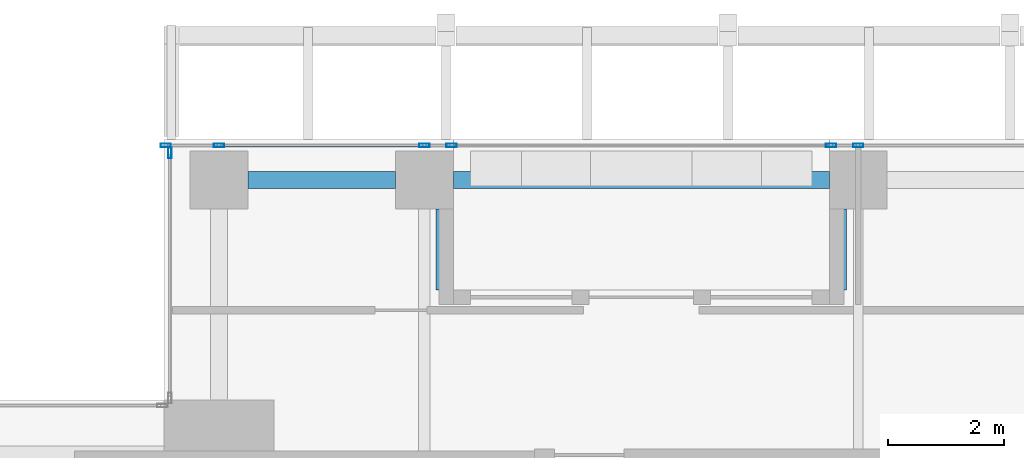
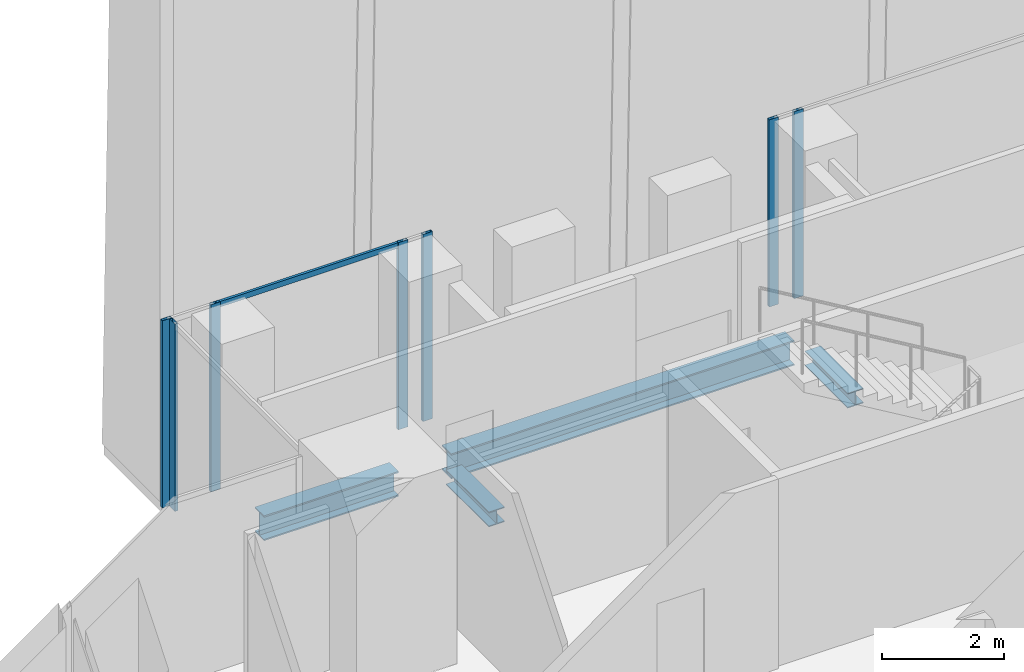
# One storey, part 16 of 35: 8 members, 4 beams, 3 elements without a shape of their own.
"""IFC4 building model written with IfcOpenShell, lengths in metres."""

from ifc_helpers import new_model, si_unit, direction, frame, origin, origin_2d, place, context, subcontext, project, spatial, hollow_rectangle, i_section, extrude, source, transform, mapped, material, material_profile, profile_set, type_object, element, aggregate, save


model = new_model("IFC4")

# Units and contexts
model_context = context("Model", 3, precision=1e-05, world=origin(), true_north=direction((0.0, 1.0)))
body_context = subcontext(model_context, "Body", "Model", "MODEL_VIEW")
ifc_project = project(units=[si_unit("LENGTHUNIT", "METRE"), si_unit("AREAUNIT", "SQUARE_METRE"), si_unit("VOLUMEUNIT", "CUBIC_METRE"), si_unit("PLANEANGLEUNIT", "RADIAN"), si_unit("MASSUNIT", "GRAM", prefix="KILO")], contexts=[model_context])

# Site, building, storey
site_placement = place(None, origin())
site = spatial("IfcSite", under=ifc_project, at=site_placement, CompositionType="ELEMENT")
building_placement = place(site_placement, origin())
building = spatial("IfcBuilding", under=site, at=building_placement, Name="Khomas Fold Tower", CompositionType="ELEMENT")
storey_placement = place(building_placement, frame((0.0, 0.0, 188.699951171875)))
storey = spatial("IfcBuildingStorey", under=building, at=storey_placement, Name="L41", CompositionType="ELEMENT", Elevation=188.699951171875)

# Beams
ifc_material_1 = material(Name="Steel S355", Category="steel")
ifc_material_profile_1 = material_profile(ifc_material_1, i_section(OverallWidth=0.300048828125, OverallDepth=0.5, WebThickness=0.014404296875, FlangeThickness=0.028076171875, at=origin_2d()), Name="HE 500 B")
ifc_profile_set_1 = profile_set([ifc_material_profile_1], Name="Steel S355")
beam_type_1 = type_object("IfcBeamType", Name="HE 500 B spandrel SB3", PredefinedType="SPANDREL", material=ifc_profile_set_1)
shared_shape_1 = source(origin(), body_context, "Body", "SweptSolid", [
    extrude(i_section(OverallWidth=0.300048828125, OverallDepth=0.5, WebThickness=0.014404296875, FlangeThickness=0.028076171875, at=origin_2d()), origin(), (0.0, 0.0, 1.0), 2.550048828125),
])
beam_1_placement = place(storey_placement, frame((8.949951171875, 50.300048828125, -0.5), z_axis=(1.0, 0.0, 0.0), x_axis=(0.0, 1.0, 0.0)))
element("IfcBeam", 1, at=beam_1_placement, inside=storey, type_object=beam_type_1, Name="SB3", PredefinedType="SPANDREL", context=body_context, shape_type="MappedRepresentation", body=[
    mapped(shared_shape_1, transform((0.0, 0.0, 0.0))),
])
shared_shape_2 = source(origin(), body_context, "Body", "SweptSolid", [
    extrude(i_section(OverallWidth=0.300048828125, OverallDepth=0.5, WebThickness=0.014404296875, FlangeThickness=0.028076171875, at=origin_2d()), origin(), (0.0, 0.0, 1.0), 6.5),
])
beam_2_placement = place(storey_placement, frame((12.5, 50.300048828125, -0.5), z_axis=(1.0, 0.0, 0.0), x_axis=(0.0, 1.0, 0.0)))
element("IfcBeam", 2, at=beam_2_placement, inside=storey, type_object=beam_type_1, Name="SB3", PredefinedType="SPANDREL", context=body_context, shape_type="MappedRepresentation", body=[
    mapped(shared_shape_2, transform((0.0, 0.0, 0.0))),
])
ifc_material_2 = material(Name="Steel S355", Category="steel")
ifc_material_profile_2 = material_profile(ifc_material_2, i_section(OverallWidth=0.300048828125, OverallDepth=0.300048828125, WebThickness=0.010986328125, FlangeThickness=0.01904296875, at=origin_2d()), Name="HE 300 B")
ifc_profile_set_2 = profile_set([ifc_material_profile_2], Name="Steel S355")
beam_type_2 = type_object("IfcBeamType", Name="HE 300 B beam BB1", PredefinedType="BEAM", material=ifc_profile_set_2)
shared_shape_3 = source(origin(), body_context, "Body", "SweptSolid", [
    extrude(i_section(OverallWidth=0.300048828125, OverallDepth=0.300048828125, WebThickness=0.010986328125, FlangeThickness=0.01904296875, at=origin_2d()), origin(), (0.0, 0.0, 1.0), 1.400146484375),
])
for number, where, z_axis, x_axis, name in (
    (3, (12.35009765625, 48.39990234375, -0.39990234375), (0.0, 1.0, 0.0), (-1.0, 0.0, 0.0), "BB1"),
    (4, (19.14990234375, 48.39990234375, -0.39990234375), (0.0, 1.0, 0.0), (-1.0, 0.0, 0.0), "BB1"),
):
    element("IfcBeam", number, at=place(storey_placement, frame(where, z_axis=z_axis, x_axis=x_axis)), inside=storey, type_object=beam_type_2, Name=name, PredefinedType="BEAM", context=body_context, shape_type="MappedRepresentation", body=[
        mapped(shared_shape_3, transform((0.0, 0.0, 0.0))),
    ])

# Curtain wall, members
ifc_material_3 = material(Name="Aluminium framed double glazing", Category="aluminium")
curtain_wall_type = type_object("IfcCurtainWallType", Name="SK-Unitised clear-glass wall, office floors CW2", PredefinedType="NOTDEFINED", material=ifc_material_3)
curtain_wall_1_placement = place(storey_placement, origin())
curtain_wall_1 = element("IfcCurtainWall", 5, at=curtain_wall_1_placement, inside=storey, type_object=curtain_wall_type, Name="CW2 run L41 06-0", PredefinedType="NOTDEFINED")
ifc_material_4 = material(Name="Aluminium", Category="aluminium")
ifc_material_profile_3 = material_profile(ifc_material_4, hollow_rectangle(XDim=0.06005859375, YDim=0.179931640625, WallThickness=0.00390625, at=origin_2d()), Name="SK-Unitised clear-glass wall, office floors mullion CW2-M")
ifc_profile_set_3 = profile_set([ifc_material_profile_3], Name="Aluminium")
member_type_1 = type_object("IfcMemberType", Name="SK-Unitised clear-glass wall, office floors mullion CW2-M", PredefinedType="MULLION", material=ifc_profile_set_3)
shared_shape_4 = source(origin(), body_context, "Body", "SweptSolid", [
    extrude(hollow_rectangle(XDim=0.06005859375, YDim=0.179931640625, WallThickness=0.00390625, at=origin_2d()), origin(), (0.0, 0.0, 1.0), 3.75),
])
member_1_placement = place(storey_placement, frame((19.5, 50.89990234375, 0.0), z_axis=(0.0, 0.0, 1.0), x_axis=(0.0, -1.0, 0.0)))
member_1 = element("IfcMember", 6, at=member_1_placement, type_object=member_type_1, Name="CW2 mullion 4", PredefinedType="MULLION", context=body_context, shape_type="MappedRepresentation", body=[
    mapped(shared_shape_4, transform((0.0, 0.0, 0.0))),
])
member_2_placement = place(storey_placement, frame((19.030029296875, 50.89990234375, 0.0), z_axis=(0.0, 0.0, 1.0), x_axis=(0.0, -1.0, 0.0)))
member_2 = element("IfcMember", 7, at=member_2_placement, type_object=member_type_1, Name="CW2 mullion 5", PredefinedType="MULLION", context=body_context, shape_type="MappedRepresentation", body=[
    mapped(shared_shape_4, transform((0.0, 0.0, 0.0))),
])
aggregate(curtain_wall_1, [member_1, member_2])

curtain_wall_2_placement = place(storey_placement, origin())
curtain_wall_2 = element("IfcCurtainWall", 8, at=curtain_wall_2_placement, inside=storey, type_object=curtain_wall_type, Name="CW2 run L41 06-1", PredefinedType="NOTDEFINED")
member_3_placement = place(storey_placement, frame((12.469970703125, 50.89990234375, 0.0), z_axis=(0.0, 0.0, 1.0), x_axis=(0.0, -1.0, 0.0)))
member_3 = element("IfcMember", 9, at=member_3_placement, type_object=member_type_1, Name="CW2 mullion 1", PredefinedType="MULLION", context=body_context, shape_type="MappedRepresentation", body=[
    mapped(shared_shape_4, transform((0.0, 0.0, 0.0))),
])
member_4_placement = place(storey_placement, frame((12.0, 50.89990234375, 0.0), z_axis=(0.0, 0.0, 1.0), x_axis=(0.0, -1.0, 0.0)))
member_4 = element("IfcMember", 10, at=member_4_placement, type_object=member_type_1, Name="CW2 mullion 2", PredefinedType="MULLION", context=body_context, shape_type="MappedRepresentation", body=[
    mapped(shared_shape_4, transform((0.0, 0.0, 0.0))),
])
member_5_placement = place(storey_placement, frame((8.449951171875, 50.89990234375, 0.0), z_axis=(0.0, 0.0, 1.0), x_axis=(0.0, -1.0, 0.0)))
member_5 = element("IfcMember", 11, at=member_5_placement, type_object=member_type_1, Name="CW2 mullion 3", PredefinedType="MULLION", context=body_context, shape_type="MappedRepresentation", body=[
    mapped(shared_shape_4, transform((0.0, 0.0, 0.0))),
])
member_6_placement = place(storey_placement, frame((7.530029296875, 50.89990234375, 0.0), z_axis=(0.0, 0.0, 1.0), x_axis=(0.0, -1.0, 0.0)))
member_6 = element("IfcMember", 12, at=member_6_placement, type_object=member_type_1, Name="CW2 mullion 4", PredefinedType="MULLION", context=body_context, shape_type="MappedRepresentation", body=[
    mapped(shared_shape_4, transform((0.0, 0.0, 0.0))),
])

# Curtain wall, member
curtain_wall_3_placement = place(storey_placement, origin())
curtain_wall_3 = element("IfcCurtainWall", 13, at=curtain_wall_3_placement, inside=storey, type_object=curtain_wall_type, Name="CW2 corner return L41 07", PredefinedType="NOTDEFINED")
member_7_placement = place(storey_placement, frame((7.60009765625, 50.77001953125, 0.0), z_axis=(0.0, 0.0, 1.0), x_axis=(1.0, 0.0, 0.0)))
member_7 = element("IfcMember", 14, at=member_7_placement, type_object=member_type_1, Name="CW2 mullion 1", PredefinedType="MULLION", context=body_context, shape_type="MappedRepresentation", body=[
    mapped(shared_shape_4, transform((0.0, 0.0, 0.0))),
])
aggregate(curtain_wall_3, [member_7])

# Member
ifc_material_5 = material(Name="Aluminium", Category="aluminium")
ifc_material_profile_4 = material_profile(ifc_material_5, hollow_rectangle(XDim=0.050048828125, YDim=0.110107421875, WallThickness=0.00390625, at=origin_2d()), Name="SK-Unitised clear-glass wall, office floors transom CW2-T")
ifc_profile_set_4 = profile_set([ifc_material_profile_4], Name="Aluminium")
member_type_2 = type_object("IfcMemberType", Name="SK-Unitised clear-glass wall, office floors transom CW2-T", PredefinedType="USERDEFINED", material=ifc_profile_set_4)
shared_shape_5 = source(origin(), body_context, "Body", "SweptSolid", [
    extrude(hollow_rectangle(XDim=0.050048828125, YDim=0.110107421875, WallThickness=0.00390625, at=origin_2d()), origin(), (0.0, 0.0, 1.0), 3.489990234375),
])
member_8_placement = place(storey_placement, frame((11.969970703125, 50.89990234375, 3.695068359375), z_axis=(-1.0, 0.0, 0.0), x_axis=(0.0, -1.0, 0.0)))
member_8 = element("IfcMember", 15, at=member_8_placement, type_object=member_type_2, Name="CW2 transom 2", ObjectType="TRANSOM", PredefinedType="USERDEFINED", context=body_context, shape_type="MappedRepresentation", body=[
    mapped(shared_shape_5, transform((0.0, 0.0, 0.0))),
])

aggregate(curtain_wall_2, [member_3, member_4, member_5, member_6, member_8])

save(model, "model.ifc")
